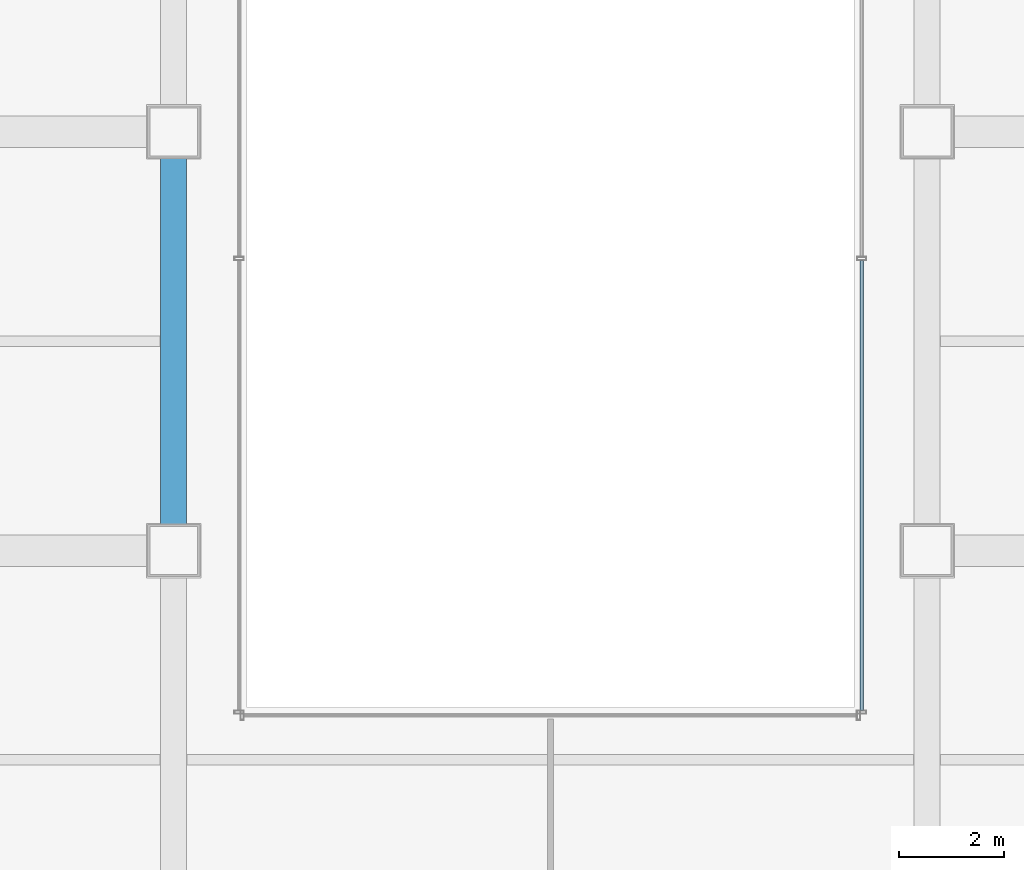
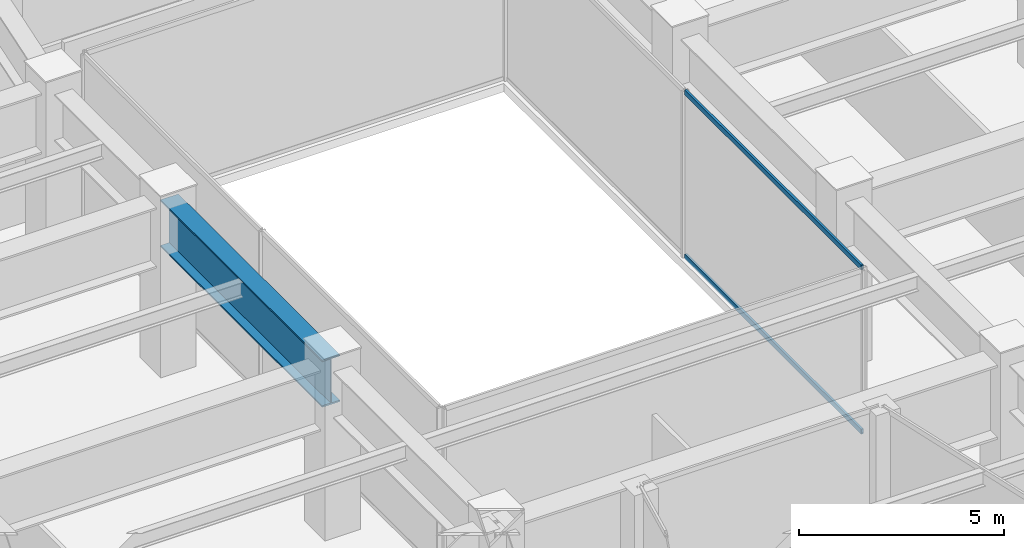
# One storey, part 17 of 42: 2 members, 1 beam, 1 element without a shape of its own.
"""IFC4 building model written with IfcOpenShell, lengths in metres."""

from ifc_helpers import new_model, si_unit, direction, frame, origin, origin_2d, place, context, subcontext, project, spatial, hollow_rectangle, i_section, extrude, material, material_profile, profile_set, type_object, element, aggregate, save


model = new_model("IFC4")

# Units and contexts
model_context = context("Model", 3, precision=1e-05, world=origin(), true_north=direction((0.0, 1.0)))
body_context = subcontext(model_context, "Body", "Model", "MODEL_VIEW")
ifc_project = project(units=[si_unit("LENGTHUNIT", "METRE"), si_unit("AREAUNIT", "SQUARE_METRE"), si_unit("VOLUMEUNIT", "CUBIC_METRE"), si_unit("PLANEANGLEUNIT", "RADIAN"), si_unit("MASSUNIT", "GRAM", prefix="KILO")], contexts=[model_context])

# Site, building, storey
site_placement = place(None, origin())
site = spatial("IfcSite", under=ifc_project, at=site_placement, CompositionType="ELEMENT")
building_placement = place(site_placement, origin())
building = spatial("IfcBuilding", under=site, at=building_placement, Name="Saevonmaru Cultural Tower", CompositionType="ELEMENT")
storey_placement = place(building_placement, frame((0.0, 0.0, 33.0)))
storey = spatial("IfcBuildingStorey", under=building, at=storey_placement, Name="L06", CompositionType="ELEMENT", Elevation=33.0)

# Beam
ifc_material_1 = material(Name="Steel HSA600 (600 MPa)", Category="steel")
ifc_material_profile_1 = material_profile(ifc_material_1, i_section(OverallWidth=0.5, OverallDepth=1.39990234375, WebThickness=0.02392578125, FlangeThickness=0.044921875, at=origin_2d()), Name="PG-1400x500x24x45")
ifc_profile_set_1 = profile_set([ifc_material_profile_1], Name="Steel HSA600 (600 MPa)")
beam_type = type_object("IfcBeamType", Name="BM-TG-PG1400", PredefinedType="BEAM", material=ifc_profile_set_1)
beam_placement = place(storey_placement, frame((22.800048828125, 24.06005859375, 4.25), z_axis=(0.0, 1.0, 0.0), x_axis=(-1.0, 0.0, 0.0)))
element("IfcBeam", 1, at=beam_placement, inside=storey, type_object=beam_type, Name="L06 Podium Girder NS2-4", PredefinedType="BEAM", context=body_context, shape_type="SweptSolid", body=[
    extrude(i_section(OverallWidth=0.5, OverallDepth=1.39990234375, WebThickness=0.02392578125, FlangeThickness=0.044921875, at=origin_2d()), origin(), (0.0, 0.0, 1.0), 7.8798828125),
])

# Curtain wall, members
ifc_material_2 = material(Name="Satin Bronze Anodised Aluminium", Category="aluminium")
curtain_wall_type = type_object("IfcCurtainWallType", Name="CW-ATR-GLZ", PredefinedType="NOTDEFINED", material=ifc_material_2)
curtain_wall_placement = place(storey_placement, origin())
curtain_wall = element("IfcCurtainWall", 2, at=curtain_wall_placement, inside=storey, type_object=curtain_wall_type, Name="L06 Vertical Atrium Glazed Smoke Screen 2", PredefinedType="NOTDEFINED")
ifc_material_profile_2 = material_profile(ifc_material_2, hollow_rectangle(XDim=0.06494140625, YDim=0.14990234375, WallThickness=0.00390625, at=origin_2d()), Name="ALU-TRAN-150x65x4")
ifc_profile_set_2 = profile_set([ifc_material_profile_2], Name="Satin Bronze Anodised Aluminium")
member_type = type_object("IfcMemberType", Name="TR-CW-INT-150x65", PredefinedType="USERDEFINED", material=ifc_profile_set_2)
member_1_placement = place(storey_placement, frame((35.949951171875, 20.9423828125, 0.032470703125), z_axis=(0.0, 1.0, 0.0), x_axis=(-1.0, 0.0, 0.0)))
member_1 = element("IfcMember", 3, at=member_1_placement, type_object=member_type, Name="CW-ATR-L06-2 transom 1.1", ObjectType="TRANSOM", PredefinedType="USERDEFINED", context=body_context, shape_type="SweptSolid", body=[
    extrude(hollow_rectangle(XDim=0.06494140625, YDim=0.14990234375, WallThickness=0.00390625, at=origin_2d()), origin(), (0.0, 0.0, 1.0), 8.605224609375),
])
member_2_placement = place(storey_placement, frame((35.949951171875, 20.9423828125, 4.91748046875), z_axis=(0.0, 1.0, 0.0), x_axis=(-1.0, 0.0, 0.0)))
member_2 = element("IfcMember", 4, at=member_2_placement, type_object=member_type, Name="CW-ATR-L06-2 transom 1.2", ObjectType="TRANSOM", PredefinedType="USERDEFINED", context=body_context, shape_type="SweptSolid", body=[
    extrude(hollow_rectangle(XDim=0.06494140625, YDim=0.14990234375, WallThickness=0.00390625, at=origin_2d()), origin(), (0.0, 0.0, 1.0), 8.605224609375),
])
aggregate(curtain_wall, [member_1, member_2])

save(model, "model.ifc")
